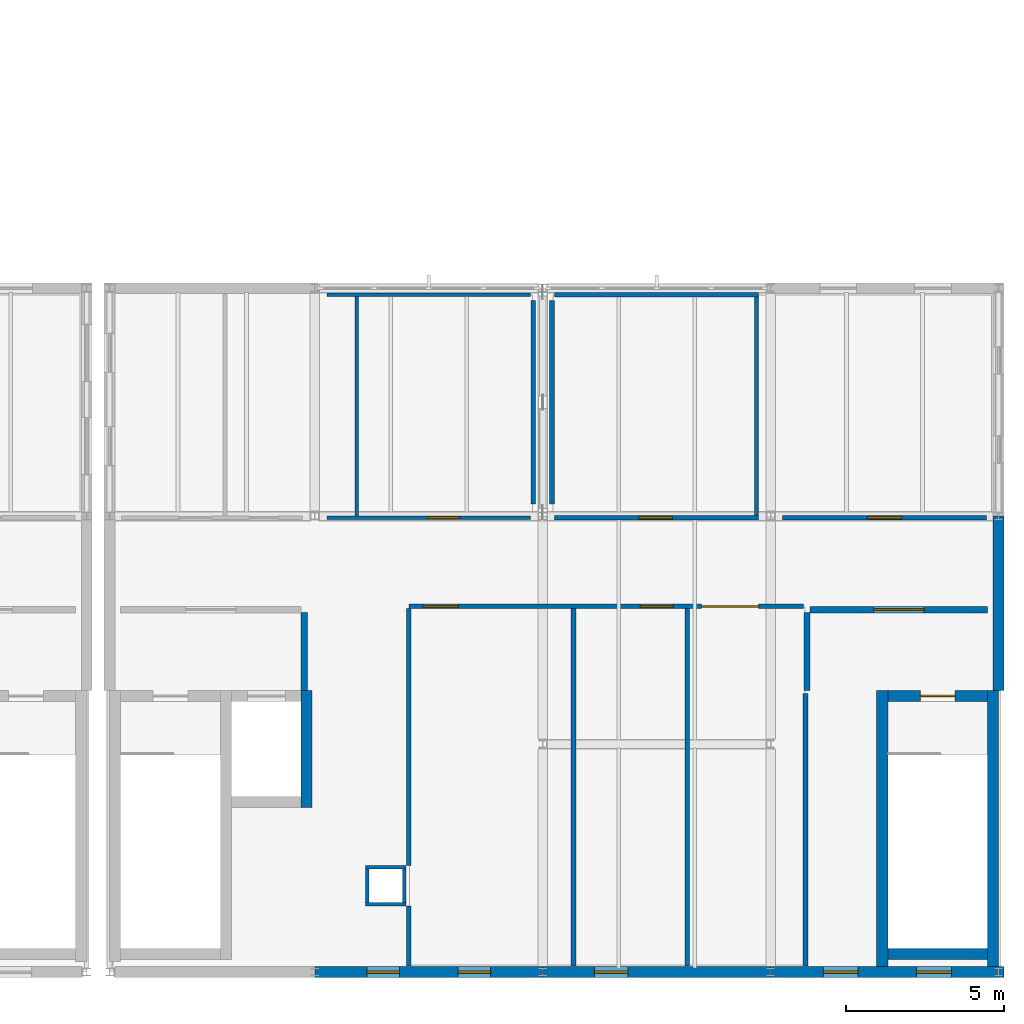
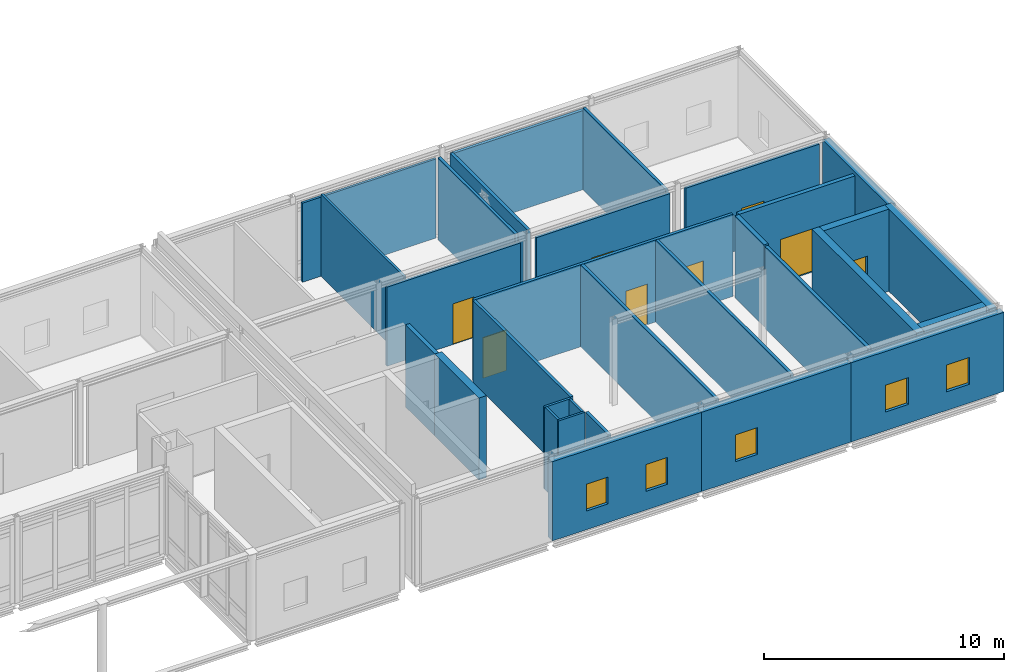
# One storey, part 33 of 43: 31 walls, 8 doors, 5 windows, 13 openings.
"""IFC4 building model written with IfcOpenShell, lengths in metres."""

from ifc_helpers import new_model, si_unit, direction, frame, frame_2d, origin, place, context, subcontext, project, spatial, rectangle, extrude, material, layer, layer_set, type_object, element, fill, save


model = new_model("IFC4")

# Units and contexts
model_context = context("Model", 3, precision=1e-05, world=origin(), true_north=direction((0.0, 1.0)))
body_context = subcontext(model_context, "Body", "Model", "MODEL_VIEW")
ifc_project = project(units=[si_unit("LENGTHUNIT", "METRE"), si_unit("AREAUNIT", "SQUARE_METRE"), si_unit("VOLUMEUNIT", "CUBIC_METRE"), si_unit("PLANEANGLEUNIT", "RADIAN"), si_unit("MASSUNIT", "GRAM", prefix="KILO")], contexts=[model_context])

# Site, building, storey
site_placement = place(None, origin())
site = spatial("IfcSite", under=ifc_project, at=site_placement, CompositionType="ELEMENT")
building_placement = place(site_placement, origin())
building = spatial("IfcBuilding", under=site, at=building_placement, Name="Zarrinpeak Specialist Clinic", CompositionType="ELEMENT")
storey_placement = place(building_placement, frame((0.0, 0.0, 18.39990234375)))
storey = spatial("IfcBuildingStorey", under=building, at=storey_placement, Name="L04", CompositionType="ELEMENT", Elevation=18.39990234375)

# Walls
ifc_material_1 = material(Name="Concrete C40/50", Category="concrete")
ifc_layer_1 = layer(ifc_material_1, 0.35009765625)
ifc_layer_set_1 = layer_set([ifc_layer_1], Name="Concrete C40/50")
wall_type_1 = type_object("IfcWallType", Name="WL-CR350", PredefinedType="SHEAR", material=ifc_layer_set_1)
wall_1_placement = place(storey_placement, frame((64.544921875, 5.199951171875, 0.0), z_axis=(0.0, 0.0, 1.0), x_axis=(0.0, 1.0, 0.0)))
element("IfcWall", 1, at=wall_1_placement, inside=storey, type_object=wall_type_1, Name="L04 Lift LF-P4 Shaft Wall LFE", PredefinedType="SHEAR", context=body_context, shape_type="SweptSolid", body=[
    extrude(rectangle(XDim=3.699951171875, YDim=0.35009765625, at=frame_2d((1.85009765625, 0.0))), origin(), (0.0, 0.0, 1.0), 4.18017578125),
])
wall_2_placement = place(storey_placement, frame((82.89990234375, 0.574951171875, 0.0), z_axis=(0.0, 0.0, 1.0), x_axis=(1.0, 0.0, 0.0)))
element("IfcWall", 2, at=wall_2_placement, inside=storey, type_object=wall_type_1, Name="L04 Core C08 Shear Wall STS", PredefinedType="SHEAR", context=body_context, shape_type="SweptSolid", body=[
    extrude(rectangle(XDim=3.150146484375, YDim=0.35009765625, at=frame_2d((1.5751953125, 0.0))), origin(), (0.0, 0.0, 1.0), 4.18017578125),
])

# Wall, opening, door
wall_3_placement = place(storey_placement, frame((82.89990234375, 8.72509765625, 0.0), z_axis=(0.0, 0.0, 1.0), x_axis=(1.0, 0.0, 0.0)))
wall_3 = element("IfcWall", 3, at=wall_3_placement, inside=storey, type_object=wall_type_1, Name="L04 Core C08 Shear Wall STN", PredefinedType="SHEAR", context=body_context, shape_type="SweptSolid", body=[
    extrude(rectangle(XDim=3.150146484375, YDim=0.35009765625, at=frame_2d((1.5751953125, 0.0))), origin(), (0.0, 0.0, 1.0), 4.18017578125),
])
opening_1_placement = place(wall_3_placement, frame((1.02490234375, 0.0, 0.0)))
opening_1 = element("IfcOpeningElement", 4, at=opening_1_placement, cuts=wall_3, Name="Opening D-S02", PredefinedType="OPENING", context=body_context, shape_type="SweptSolid", body=[
    extrude(rectangle(XDim=1.10009765625, YDim=2.14990234375, at=frame_2d((0.550048828125, 1.074951171875))), frame((0.0, 0.18505859375, 0.0), z_axis=(0.0, -1.0, 0.0), x_axis=(1.0, 0.0, 0.0)), (0.0, 0.0, 1.0), 0.3701171875),
])
ifc_material_2 = material(Name="Powder-Coated Galvanised Steel", Category="steel")
door_type_1 = type_object("IfcDoorType", Name="DR-FD110", OperationType="SINGLE_SWING_RIGHT", PredefinedType="DOOR", material=ifc_material_2)
door_1_placement = place(opening_1_placement, frame((1.10009765625, 0.0, 0.0), z_axis=(0.0, 0.0, 1.0), x_axis=(-1.0, 0.0, 0.0)))
door_1 = element("IfcDoor", 5, at=door_1_placement, inside=storey, type_object=door_type_1, Name="L04 Protected Stair ST-08 Fire Door", OperationType="SINGLE_SWING_RIGHT", OverallHeight=2.14990234375, OverallWidth=1.10009765625, PredefinedType="DOOR", context=body_context, shape_type="SweptSolid", body=[
    extrude(rectangle(XDim=1.10009765625, YDim=2.14990234375, at=frame_2d((0.550048828125, 1.074951171875))), frame((0.0, 0.02490234375, 0.0), z_axis=(0.0, -1.0, 0.0), x_axis=(1.0, 0.0, 0.0)), (0.0, 0.0, 1.0), 0.050048828125),
])
fill(opening_1, door_1)

# Walls
for number, where, z_axis, x_axis, name in (
    (6, (82.72509765625, 0.169921875, 0.0), (0.0, 0.0, 1.0), (0.0, 1.0, 0.0), "L04 Core C08 Shear Wall STW"),
    (7, (86.22509765625, 0.169921875, 0.0), (0.0, 0.0, 1.0), (0.0, 1.0, 0.0), "L04 Core C08 Shear Wall STE"),
):
    element("IfcWall", number, at=place(storey_placement, frame(where, z_axis=z_axis, x_axis=x_axis)), inside=storey, type_object=wall_type_1, Name=name, PredefinedType="SHEAR", context=body_context, shape_type="SweptSolid", body=[
        extrude(rectangle(XDim=8.72998046875, YDim=0.35009765625, at=frame_2d((4.364990234375, 0.0))), origin(), (0.0, 0.0, 1.0), 4.18017578125),
    ])

# Wall, openings, windows
ifc_material_3 = material(Name="Precast concrete C40/50", Category="concrete")
ifc_layer_2 = layer(ifc_material_3, 0.340087890625)
ifc_layer_set_2 = layer_set([ifc_layer_2], Name="Precast concrete C40/50")
wall_type_2 = type_object("IfcWallType", Name="WL-EW340", PredefinedType="STANDARD", material=ifc_layer_set_2)
wall_4_placement = place(storey_placement, frame((64.800048828125, 0.0, 0.0), z_axis=(0.0, 0.0, 1.0), x_axis=(1.0, 0.0, 0.0)))
wall_4 = element("IfcWall", 8, at=wall_4_placement, inside=storey, type_object=wall_type_2, Name="L04 V4 Exterior GRC Wall EW-L04-V4-0202", PredefinedType="STANDARD", context=body_context, shape_type="SweptSolid", body=[
    extrude(rectangle(XDim=7.199951171875, YDim=0.340087890625, at=frame_2d((3.60009765625, 0.0))), origin(), (0.0, 0.0, 1.0), 4.03515625),
])
opening_2_placement = place(wall_4_placement, frame((1.64501953125, 0.0, 0.949951171875)))
opening_2 = element("IfcOpeningElement", 9, at=opening_2_placement, cuts=wall_4, Name="Opening WS-45", PredefinedType="OPENING", context=body_context, shape_type="SweptSolid", body=[
    extrude(rectangle(XDim=1.030029296875, YDim=1.367919921875, at=frame_2d((0.51513671875, 0.68408203125))), frame((0.0, 0.18017578125, 0.0), z_axis=(0.0, -1.0, 0.0), x_axis=(1.0, 0.0, 0.0)), (0.0, 0.0, 1.0), 0.360107421875),
])
opening_3_placement = place(wall_4_placement, frame((4.52490234375, 0.0, 0.949951171875)))
opening_3 = element("IfcOpeningElement", 10, at=opening_3_placement, cuts=wall_4, Name="Opening WS-45", PredefinedType="OPENING", context=body_context, shape_type="SweptSolid", body=[
    extrude(rectangle(XDim=1.030029296875, YDim=1.367919921875, at=frame_2d((0.51513671875, 0.68408203125))), frame((0.0, 0.18017578125, 0.0), z_axis=(0.0, -1.0, 0.0), x_axis=(1.0, 0.0, 0.0)), (0.0, 0.0, 1.0), 0.360107421875),
])
ifc_material_4 = material(Name="Thermally Broken Aluminium and Low-E Glazing", Category="aluminium")
window_type_1 = type_object("IfcWindowType", Name="WN-SP45", PartitioningType="SINGLE_PANEL", PredefinedType="WINDOW", material=ifc_material_4)
window_1_placement = place(opening_2_placement, origin())
window_1 = element("IfcWindow", 11, at=window_1_placement, inside=storey, type_object=window_type_1, Name="L04 Modular Facade Window WN-L04-0231", OverallHeight=1.367919921875, OverallWidth=1.030029296875, PartitioningType="SINGLE_PANEL", PredefinedType="WINDOW", context=body_context, shape_type="SweptSolid", body=[
    extrude(rectangle(XDim=1.030029296875, YDim=1.367919921875, at=frame_2d((0.51513671875, 0.68408203125))), frame((0.0, 0.030029296875, 0.0), z_axis=(0.0, -1.0, 0.0), x_axis=(1.0, 0.0, 0.0)), (0.0, 0.0, 1.0), 0.06005859375),
])
fill(opening_2, window_1)
window_2_placement = place(opening_3_placement, origin())
window_2 = element("IfcWindow", 12, at=window_2_placement, inside=storey, type_object=window_type_1, Name="L04 Modular Facade Window WN-L04-0232", OverallHeight=1.367919921875, OverallWidth=1.030029296875, PartitioningType="SINGLE_PANEL", PredefinedType="WINDOW", context=body_context, shape_type="SweptSolid", body=[
    extrude(rectangle(XDim=1.030029296875, YDim=1.367919921875, at=frame_2d((0.51513671875, 0.68408203125))), frame((0.0, 0.030029296875, 0.0), z_axis=(0.0, -1.0, 0.0), x_axis=(1.0, 0.0, 0.0)), (0.0, 0.0, 1.0), 0.06005859375),
])
fill(opening_3, window_2)

# Wall, opening, window
wall_5_placement = place(storey_placement, frame((72.0, 0.0, 0.0), z_axis=(0.0, 0.0, 1.0), x_axis=(1.0, 0.0, 0.0)))
wall_5 = element("IfcWall", 13, at=wall_5_placement, inside=storey, type_object=wall_type_2, Name="L04 V4 Exterior GRC Wall EW-L04-V4-0203", PredefinedType="STANDARD", context=body_context, shape_type="SweptSolid", body=[
    extrude(rectangle(XDim=7.199951171875, YDim=0.340087890625, at=frame_2d((3.60009765625, 0.0))), origin(), (0.0, 0.0, 1.0), 4.03515625),
])
opening_4_placement = place(wall_5_placement, frame((1.6279296875, 0.0, 0.949951171875)))
opening_4 = element("IfcOpeningElement", 14, at=opening_4_placement, cuts=wall_5, Name="Opening WS-46", PredefinedType="OPENING", context=body_context, shape_type="SweptSolid", body=[
    extrude(rectangle(XDim=1.06396484375, YDim=1.367919921875, at=frame_2d((0.531982421875, 0.68408203125))), frame((0.0, 0.18017578125, 0.0), z_axis=(0.0, -1.0, 0.0), x_axis=(1.0, 0.0, 0.0)), (0.0, 0.0, 1.0), 0.360107421875),
])
window_type_2 = type_object("IfcWindowType", Name="WN-SP46", PartitioningType="SINGLE_PANEL", PredefinedType="WINDOW", material=ifc_material_4)
window_3_placement = place(opening_4_placement, origin())
window_3 = element("IfcWindow", 15, at=window_3_placement, inside=storey, type_object=window_type_2, Name="L04 Modular Facade Window WN-L04-0233", OverallHeight=1.367919921875, OverallWidth=1.06396484375, PartitioningType="SINGLE_PANEL", PredefinedType="WINDOW", context=body_context, shape_type="SweptSolid", body=[
    extrude(rectangle(XDim=1.06396484375, YDim=1.367919921875, at=frame_2d((0.531982421875, 0.68408203125))), frame((0.0, 0.030029296875, 0.0), z_axis=(0.0, -1.0, 0.0), x_axis=(1.0, 0.0, 0.0)), (0.0, 0.0, 1.0), 0.06005859375),
])
fill(opening_4, window_3)

# Wall, openings, windows
wall_6_placement = place(storey_placement, frame((79.199951171875, 0.0, 0.0), z_axis=(0.0, 0.0, 1.0), x_axis=(1.0, 0.0, 0.0)))
wall_6 = element("IfcWall", 16, at=wall_6_placement, inside=storey, type_object=wall_type_2, Name="L04 V4 Exterior GRC Wall EW-L04-V4-0204", PredefinedType="STANDARD", context=body_context, shape_type="SweptSolid", body=[
    extrude(rectangle(XDim=7.3701171875, YDim=0.340087890625, at=frame_2d((3.68505859375, 0.0))), origin(), (0.0, 0.0, 1.0), 4.03515625),
])
opening_5_placement = place(wall_6_placement, frame((1.662109375, 0.0, 0.949951171875)))
opening_5 = element("IfcOpeningElement", 17, at=opening_5_placement, cuts=wall_6, Name="Opening WS-47", PredefinedType="OPENING", context=body_context, shape_type="SweptSolid", body=[
    extrude(rectangle(XDim=1.097900390625, YDim=1.367919921875, at=frame_2d((0.548828125, 0.68408203125))), frame((0.0, 0.18017578125, 0.0), z_axis=(0.0, -1.0, 0.0), x_axis=(1.0, 0.0, 0.0)), (0.0, 0.0, 1.0), 0.360107421875),
])
opening_6_placement = place(wall_6_placement, frame((4.610107421875, 0.0, 0.949951171875)))
opening_6 = element("IfcOpeningElement", 18, at=opening_6_placement, cuts=wall_6, Name="Opening WS-47", PredefinedType="OPENING", context=body_context, shape_type="SweptSolid", body=[
    extrude(rectangle(XDim=1.097900390625, YDim=1.367919921875, at=frame_2d((0.548828125, 0.68408203125))), frame((0.0, 0.18017578125, 0.0), z_axis=(0.0, -1.0, 0.0), x_axis=(1.0, 0.0, 0.0)), (0.0, 0.0, 1.0), 0.360107421875),
])
window_type_3 = type_object("IfcWindowType", Name="WN-SP47", PartitioningType="SINGLE_PANEL", PredefinedType="WINDOW", material=ifc_material_4)
window_4_placement = place(opening_5_placement, origin())
window_4 = element("IfcWindow", 19, at=window_4_placement, inside=storey, type_object=window_type_3, Name="L04 Modular Facade Window WN-L04-0234", OverallHeight=1.367919921875, OverallWidth=1.097900390625, PartitioningType="SINGLE_PANEL", PredefinedType="WINDOW", context=body_context, shape_type="SweptSolid", body=[
    extrude(rectangle(XDim=1.097900390625, YDim=1.367919921875, at=frame_2d((0.548828125, 0.68408203125))), frame((0.0, 0.030029296875, 0.0), z_axis=(0.0, -1.0, 0.0), x_axis=(1.0, 0.0, 0.0)), (0.0, 0.0, 1.0), 0.06005859375),
])
fill(opening_5, window_4)
window_5_placement = place(opening_6_placement, origin())
window_5 = element("IfcWindow", 20, at=window_5_placement, inside=storey, type_object=window_type_3, Name="L04 Modular Facade Window WN-L04-0235", OverallHeight=1.367919921875, OverallWidth=1.097900390625, PartitioningType="SINGLE_PANEL", PredefinedType="WINDOW", context=body_context, shape_type="SweptSolid", body=[
    extrude(rectangle(XDim=1.097900390625, YDim=1.367919921875, at=frame_2d((0.548828125, 0.68408203125))), frame((0.0, 0.030029296875, 0.0), z_axis=(0.0, -1.0, 0.0), x_axis=(1.0, 0.0, 0.0)), (0.0, 0.0, 1.0), 0.06005859375),
])
fill(opening_6, window_5)

# Walls
wall_7_placement = place(storey_placement, frame((86.39990234375, 8.89990234375, 0.0), z_axis=(0.0, 0.0, 1.0), x_axis=(0.0, 1.0, 0.0)))
element("IfcWall", 21, at=wall_7_placement, inside=storey, type_object=wall_type_2, Name="L04 V4 Exterior GRC Wall EW-L04-V4-0209", PredefinedType="STANDARD", context=body_context, shape_type="SweptSolid", body=[
    extrude(rectangle(XDim=5.5, YDim=0.340087890625, at=frame_2d((2.75, 0.0))), origin(), (0.0, 0.0, 1.0), 4.110107421875),
])
ifc_material_5 = material(Name="Sanitary Service Chase Plumbing Wall", Category="gypsum")
ifc_layer_3 = layer(ifc_material_5, 0.110107421875)
ifc_layer_set_3 = layer_set([ifc_layer_3], Name="Sanitary Service Chase Plumbing Wall")
wall_type_3 = type_object("IfcWallType", Name="WL-IW110", PredefinedType="PARTITIONING", material=ifc_layer_set_3)
for number, where, z_axis, x_axis, name in (
    (22, (66.409912109375, 2.14501953125, 0.0), (0.0, 0.0, 1.0), (1.0, 0.0, 0.0), "L04 V4 Enclosed MEP Service Riser Wall S"),
    (23, (66.409912109375, 3.304931640625, 0.0), (0.0, 0.0, 1.0), (1.0, 0.0, 0.0), "L04 V4 Enclosed MEP Service Riser Wall N"),
):
    element("IfcWall", number, at=place(storey_placement, frame(where, z_axis=z_axis, x_axis=x_axis)), inside=storey, type_object=wall_type_3, Name=name, PredefinedType="PARTITIONING", context=body_context, shape_type="SweptSolid", body=[
        extrude(rectangle(XDim=1.27001953125, YDim=0.110107421875, at=frame_2d((0.635009765625, 0.0))), origin(), (0.0, 0.0, 1.0), 4.18017578125),
    ])
for number, where, z_axis, x_axis, name in (
    (24, (66.465087890625, 2.199951171875, 0.0), (0.0, 0.0, 1.0), (0.0, 1.0, 0.0), "L04 V4 Enclosed MEP Service Riser Wall W"),
    (25, (67.625, 2.199951171875, 0.0), (0.0, 0.0, 1.0), (0.0, 1.0, 0.0), "L04 V4 Enclosed MEP Service Riser Wall E"),
):
    element("IfcWall", number, at=place(storey_placement, frame(where, z_axis=z_axis, x_axis=x_axis)), inside=storey, type_object=wall_type_3, Name=name, PredefinedType="PARTITIONING", context=body_context, shape_type="SweptSolid", body=[
        extrude(rectangle(XDim=1.050048828125, YDim=0.110107421875, at=frame_2d((0.52490234375, 0.0))), origin(), (0.0, 0.0, 1.0), 4.18017578125),
    ])
wall_8_placement = place(storey_placement, frame((65.179931640625, 21.39990234375, 0.0), z_axis=(0.0, 0.0, 1.0), x_axis=(1.0, 0.0, 0.0)))
element("IfcWall", 26, at=wall_8_placement, inside=storey, type_object=wall_type_3, Name="L04 Staff Washroom Partition", PredefinedType="PARTITIONING", context=body_context, shape_type="SweptSolid", body=[
    extrude(rectangle(XDim=6.440185546875, YDim=0.110107421875, at=frame_2d((3.22021484375, 0.0))), origin(), (0.0, 0.0, 1.0), 4.03515625),
])
wall_9_placement = place(storey_placement, frame((66.1201171875, 14.41259765625, 0.0), z_axis=(0.0, 0.0, 1.0), x_axis=(0.0, 1.0, 0.0)))
element("IfcWall", 27, at=wall_9_placement, inside=storey, type_object=wall_type_3, Name="L04 Staff Washroom Dividing Partition", PredefinedType="PARTITIONING", context=body_context, shape_type="SweptSolid", body=[
    extrude(rectangle(XDim=6.932373046875, YDim=0.110107421875, at=frame_2d((3.46630859375, 0.0))), origin(), (0.0, 0.0, 1.0), 4.18017578125),
])

# Wall, opening, door
ifc_material_6 = material(Name="Moisture-Resistant Wet-Room Partition", Category="gypsum")
ifc_layer_4 = layer(ifc_material_6, 0.125)
ifc_layer_set_4 = layer_set([ifc_layer_4], Name="Moisture-Resistant Wet-Room Partition")
wall_type_4 = type_object("IfcWallType", Name="WL-IW125W", PredefinedType="PARTITIONING", material=ifc_layer_set_4)
wall_10_placement = place(storey_placement, frame((65.179931640625, 14.35009765625, 0.0), z_axis=(0.0, 0.0, 1.0), x_axis=(1.0, 0.0, 0.0)))
wall_10 = element("IfcWall", 28, at=wall_10_placement, inside=storey, type_object=wall_type_4, Name="L04 Accessible Patient WC Partition", PredefinedType="PARTITIONING", context=body_context, shape_type="SweptSolid", body=[
    extrude(rectangle(XDim=6.440185546875, YDim=0.125, at=frame_2d((3.22021484375, 0.0))), origin(), (0.0, 0.0, 1.0), 4.03515625),
])
opening_7_placement = place(wall_10_placement, frame((3.18505859375, 0.0, 0.0)))
opening_7 = element("IfcOpeningElement", 29, at=opening_7_placement, cuts=wall_10, Name="Opening DS-19", PredefinedType="OPENING", context=body_context, shape_type="SweptSolid", body=[
    extrude(rectangle(XDim=1.010009765625, YDim=2.068115234375, at=frame_2d((0.5048828125, 1.0341796875))), frame((0.0, 0.072509765625, 0.0), z_axis=(0.0, -1.0, 0.0), x_axis=(1.0, 0.0, 0.0)), (0.0, 0.0, 1.0), 0.14501953125),
])
door_type_2 = type_object("IfcDoorType", Name="DR-SP19", OperationType="SINGLE_SWING_RIGHT", PredefinedType="DOOR", material=ifc_material_2)
door_2_placement = place(opening_7_placement, frame((1.010009765625, 0.0, 0.0), z_axis=(0.0, 0.0, 1.0), x_axis=(-1.0, 0.0, 0.0)))
door_2 = element("IfcDoor", 30, at=door_2_placement, inside=storey, type_object=door_type_2, Name="L04 Surgical Day Clinic Consult Door", OperationType="SINGLE_SWING_RIGHT", OverallHeight=2.068115234375, OverallWidth=1.010009765625, PredefinedType="DOOR", context=body_context, shape_type="SweptSolid", body=[
    extrude(rectangle(XDim=1.010009765625, YDim=2.068115234375, at=frame_2d((0.5048828125, 1.0341796875))), frame((0.0, 0.02490234375, 0.0), z_axis=(0.0, -1.0, 0.0), x_axis=(1.0, 0.0, 0.0)), (0.0, 0.0, 1.0), 0.050048828125),
])
fill(opening_7, door_2)

ifc_material_7 = material(Name="Standard Drywall Partition", Category="gypsum")
ifc_layer_5 = layer(ifc_material_7, 0.135009765625)
ifc_layer_set_5 = layer_set([ifc_layer_5], Name="Standard Drywall Partition")
wall_type_5 = type_object("IfcWallType", Name="WL-IW135", PredefinedType="PARTITIONING", material=ifc_layer_set_5)
wall_11_placement = place(storey_placement, frame((72.3798828125, 14.35009765625, 0.0), z_axis=(0.0, 0.0, 1.0), x_axis=(1.0, 0.0, 0.0)))
wall_11 = element("IfcWall", 31, at=wall_11_placement, inside=storey, type_object=wall_type_5, Name="L04 Specialist Consultation Room 1 Partition", PredefinedType="PARTITIONING", context=body_context, shape_type="SweptSolid", body=[
    extrude(rectangle(XDim=6.440185546875, YDim=0.135009765625, at=frame_2d((3.22021484375, 0.0))), origin(), (0.0, 0.0, 1.0), 4.03515625),
])
opening_8_placement = place(wall_11_placement, frame((2.654052734375, 0.0, 0.0)))
opening_8 = element("IfcOpeningElement", 32, at=opening_8_placement, cuts=wall_11, Name="Opening DS-21", PredefinedType="OPENING", context=body_context, shape_type="SweptSolid", body=[
    extrude(rectangle(XDim=1.06201171875, YDim=2.068115234375, at=frame_2d((0.531005859375, 1.0341796875))), frame((0.0, 0.07763671875, 0.0), z_axis=(0.0, -1.0, 0.0), x_axis=(1.0, 0.0, 0.0)), (0.0, 0.0, 1.0), 0.155029296875),
])
door_type_3 = type_object("IfcDoorType", Name="DR-SP21", OperationType="SINGLE_SWING_RIGHT", PredefinedType="DOOR", material=ifc_material_2)
door_3_placement = place(opening_8_placement, frame((1.06201171875, 0.0, 0.0), z_axis=(0.0, 0.0, 1.0), x_axis=(-1.0, 0.0, 0.0)))
door_3 = element("IfcDoor", 33, at=door_3_placement, inside=storey, type_object=door_type_3, Name="L04 Specialist Consultation Room 1 Door", OperationType="SINGLE_SWING_RIGHT", OverallHeight=2.068115234375, OverallWidth=1.06201171875, PredefinedType="DOOR", context=body_context, shape_type="SweptSolid", body=[
    extrude(rectangle(XDim=1.06201171875, YDim=2.068115234375, at=frame_2d((0.531005859375, 1.0341796875))), frame((0.0, 0.02490234375, 0.0), z_axis=(0.0, -1.0, 0.0), x_axis=(1.0, 0.0, 0.0)), (0.0, 0.0, 1.0), 0.050048828125),
])
fill(opening_8, door_3)

wall_12_placement = place(storey_placement, frame((79.580078125, 14.35009765625, 0.0), z_axis=(0.0, 0.0, 1.0), x_axis=(1.0, 0.0, 0.0)))
wall_12 = element("IfcWall", 34, at=wall_12_placement, inside=storey, type_object=wall_type_5, Name="L04 Specialist Consultation Room 1 Partition", PredefinedType="PARTITIONING", context=body_context, shape_type="SweptSolid", body=[
    extrude(rectangle(XDim=6.43994140625, YDim=0.135009765625, at=frame_2d((3.219970703125, 0.0))), origin(), (0.0, 0.0, 1.0), 4.03515625),
])
opening_9_placement = place(wall_12_placement, frame((2.676025390625, 0.0, 0.0)))
opening_9 = element("IfcOpeningElement", 35, at=opening_9_placement, cuts=wall_12, Name="Opening DS-22", PredefinedType="OPENING", context=body_context, shape_type="SweptSolid", body=[
    extrude(rectangle(XDim=1.087890625, YDim=2.068115234375, at=frame_2d((0.5439453125, 1.0341796875))), frame((0.0, 0.07763671875, 0.0), z_axis=(0.0, -1.0, 0.0), x_axis=(1.0, 0.0, 0.0)), (0.0, 0.0, 1.0), 0.155029296875),
])
door_type_4 = type_object("IfcDoorType", Name="DR-SP22", OperationType="SINGLE_SWING_LEFT", PredefinedType="DOOR", material=ifc_material_2)
door_4_placement = place(opening_9_placement, frame((1.087890625, 0.0, 0.0), z_axis=(0.0, 0.0, 1.0), x_axis=(-1.0, 0.0, 0.0)))
door_4 = element("IfcDoor", 36, at=door_4_placement, inside=storey, type_object=door_type_4, Name="L04 Specialist Consultation Room 2 Door", OperationType="SINGLE_SWING_LEFT", OverallHeight=2.068115234375, OverallWidth=1.087890625, PredefinedType="DOOR", context=body_context, shape_type="SweptSolid", body=[
    extrude(rectangle(XDim=1.087890625, YDim=2.068115234375, at=frame_2d((0.5439453125, 1.0341796875))), frame((0.0, 0.02490234375, 0.0), z_axis=(0.0, -1.0, 0.0), x_axis=(1.0, 0.0, 0.0)), (0.0, 0.0, 1.0), 0.050048828125),
])
fill(opening_9, door_4)

# Walls
wall_13_placement = place(storey_placement, frame((71.699951171875, 14.780029296875, 0.0), z_axis=(0.0, 0.0, 1.0), x_axis=(0.0, 1.0, 0.0)))
element("IfcWall", 37, at=wall_13_placement, inside=storey, type_object=wall_type_5, Name="L04 Surgical Day Clinic Consult Dividing Partition", PredefinedType="PARTITIONING", context=body_context, shape_type="SweptSolid", body=[
    extrude(rectangle(XDim=6.43994140625, YDim=0.135009765625, at=frame_2d((3.219970703125, 0.0))), origin(), (0.0, 0.0, 1.0), 4.18017578125),
])
wall_14_placement = place(storey_placement, frame((78.75, 14.41748046875, 0.0), z_axis=(0.0, 0.0, 1.0), x_axis=(0.0, 1.0, 0.0)))
element("IfcWall", 38, at=wall_14_placement, inside=storey, type_object=wall_type_5, Name="L04 Specialist Consultation Room 1 Dividing Partition", PredefinedType="PARTITIONING", context=body_context, shape_type="SweptSolid", body=[
    extrude(rectangle(XDim=6.91162109375, YDim=0.135009765625, at=frame_2d((3.455810546875, 0.0))), origin(), (0.0, 0.0, 1.0), 4.18017578125),
])

# Wall, openings, doors
ifc_material_8 = material(Name="Acoustic Consultation Stud Partition", Category="gypsum")
ifc_layer_6 = layer(ifc_material_8, 0.14208984375)
ifc_layer_set_6 = layer_set([ifc_layer_6], Name="Acoustic Consultation Stud Partition")
wall_type_6 = type_object("IfcWallType", Name="WL-IW142", PredefinedType="PARTITIONING", material=ifc_layer_set_6)
wall_15_placement = place(storey_placement, frame((67.77001953125, 11.550048828125, 0.0), z_axis=(0.0, 0.0, 1.0), x_axis=(1.0, 0.0, 0.0)))
wall_15 = element("IfcWall", 39, at=wall_15_placement, inside=storey, type_object=wall_type_6, Name="L04 Anaesthesia Pre-Assessment Office Partition", PredefinedType="PARTITIONING", context=body_context, shape_type="SweptSolid", body=[
    extrude(rectangle(XDim=12.4599609375, YDim=0.14208984375, at=frame_2d((6.22998046875, 0.0))), origin(), (0.0, 0.0, 1.0), 4.18017578125),
])
opening_10_placement = place(wall_15_placement, frame((7.31396484375, 0.0, 0.0)))
opening_10 = element("IfcOpeningElement", 40, at=opening_10_placement, cuts=wall_15, Name="Opening DS-20", PredefinedType="OPENING", context=body_context, shape_type="SweptSolid", body=[
    extrude(rectangle(XDim=1.035888671875, YDim=2.068115234375, at=frame_2d((0.51806640625, 1.0341796875))), frame((0.0, 0.0810546875, 0.0), z_axis=(0.0, -1.0, 0.0), x_axis=(1.0, 0.0, 0.0)), (0.0, 0.0, 1.0), 0.162109375),
])
opening_11_placement = place(wall_15_placement, frame((9.25, 0.0, 0.0)))
opening_11 = element("IfcOpeningElement", 41, at=opening_11_placement, cuts=wall_15, Name="Opening D-H01", PredefinedType="OPENING", context=body_context, shape_type="SweptSolid", body=[
    extrude(rectangle(XDim=1.800048828125, YDim=2.300048828125, at=frame_2d((0.89990234375, 1.14990234375))), frame((0.0, 0.0810546875, 0.0), z_axis=(0.0, -1.0, 0.0), x_axis=(1.0, 0.0, 0.0)), (0.0, 0.0, 1.0), 0.162109375),
])
opening_12_placement = place(wall_15_placement, frame((0.449951171875, 0.0, 0.0)))
opening_12 = element("IfcOpeningElement", 42, at=opening_12_placement, cuts=wall_15, Name="Opening DS-23", PredefinedType="OPENING", context=body_context, shape_type="SweptSolid", body=[
    extrude(rectangle(XDim=1.114013671875, YDim=2.068115234375, at=frame_2d((0.55712890625, 1.0341796875))), frame((0.0, 0.0810546875, 0.0), z_axis=(0.0, -1.0, 0.0), x_axis=(1.0, 0.0, 0.0)), (0.0, 0.0, 1.0), 0.162109375),
])
door_type_5 = type_object("IfcDoorType", Name="DR-HAL180", OperationType="DOUBLE_DOOR_SINGLE_SWING", PredefinedType="DOOR", material=ifc_material_2)
door_5_placement = place(opening_11_placement, origin())
door_5 = element("IfcDoor", 43, at=door_5_placement, inside=storey, type_object=door_type_5, Name="L04 Surgical Governance Seminar Door", OperationType="DOUBLE_DOOR_SINGLE_SWING", OverallHeight=2.300048828125, OverallWidth=1.800048828125, PredefinedType="DOOR", context=body_context, shape_type="SweptSolid", body=[
    extrude(rectangle(XDim=1.800048828125, YDim=2.300048828125, at=frame_2d((0.89990234375, 1.14990234375))), frame((0.0, 0.02490234375, 0.0), z_axis=(0.0, -1.0, 0.0), x_axis=(1.0, 0.0, 0.0)), (0.0, 0.0, 1.0), 0.050048828125),
])
fill(opening_11, door_5)
door_type_6 = type_object("IfcDoorType", Name="DR-SP20", OperationType="SINGLE_SWING_LEFT", PredefinedType="DOOR", material=ifc_material_2)
door_6_placement = place(opening_10_placement, origin())
door_6 = element("IfcDoor", 44, at=door_6_placement, inside=storey, type_object=door_type_6, Name="L04 Anaesthesia Pre-Assessment Office Door", OperationType="SINGLE_SWING_LEFT", OverallHeight=2.068115234375, OverallWidth=1.035888671875, PredefinedType="DOOR", context=body_context, shape_type="SweptSolid", body=[
    extrude(rectangle(XDim=1.035888671875, YDim=2.068115234375, at=frame_2d((0.51806640625, 1.0341796875))), frame((0.0, 0.02490234375, 0.0), z_axis=(0.0, -1.0, 0.0), x_axis=(1.0, 0.0, 0.0)), (0.0, 0.0, 1.0), 0.050048828125),
])
fill(opening_10, door_6)
door_type_7 = type_object("IfcDoorType", Name="DR-SP23", OperationType="SINGLE_SWING_RIGHT", PredefinedType="DOOR", material=ifc_material_2)
door_7_placement = place(opening_12_placement, origin())
door_7 = element("IfcDoor", 45, at=door_7_placement, inside=storey, type_object=door_type_7, Name="L04 Specialist Consultation Room 3 Door", OperationType="SINGLE_SWING_RIGHT", OverallHeight=2.068115234375, OverallWidth=1.114013671875, PredefinedType="DOOR", context=body_context, shape_type="SweptSolid", body=[
    extrude(rectangle(XDim=1.114013671875, YDim=2.068115234375, at=frame_2d((0.55712890625, 1.0341796875))), frame((0.0, 0.02490234375, 0.0), z_axis=(0.0, -1.0, 0.0), x_axis=(1.0, 0.0, 0.0)), (0.0, 0.0, 1.0), 0.050048828125),
])
fill(opening_12, door_7)

# Walls
wall_16_placement = place(storey_placement, frame((72.3798828125, 21.39990234375, 0.0), z_axis=(0.0, 0.0, 1.0), x_axis=(1.0, 0.0, 0.0)))
element("IfcWall", 46, at=wall_16_placement, inside=storey, type_object=wall_type_6, Name="L04 Specialist Consultation Room 1 Partition", PredefinedType="PARTITIONING", context=body_context, shape_type="SweptSolid", body=[
    extrude(rectangle(XDim=6.440185546875, YDim=0.14208984375, at=frame_2d((3.22021484375, 0.0))), origin(), (0.0, 0.0, 1.0), 4.03515625),
])
wall_17_placement = place(storey_placement, frame((67.77001953125, 3.360107421875, 0.0), z_axis=(0.0, 0.0, 1.0), x_axis=(0.0, 1.0, 0.0)))
element("IfcWall", 47, at=wall_17_placement, inside=storey, type_object=wall_type_6, Name="L04 Specialist Consultation Room 3 Dividing Partition", PredefinedType="PARTITIONING", context=body_context, shape_type="SweptSolid", body=[
    extrude(rectangle(XDim=8.118896484375, YDim=0.14208984375, at=frame_2d((4.0595703125, 0.0))), origin(), (0.0, 0.0, 1.0), 4.18017578125),
])
wall_18_placement = place(storey_placement, frame((76.570068359375, 0.199951171875, 0.0), z_axis=(0.0, 0.0, 1.0), x_axis=(0.0, 1.0, 0.0)))
element("IfcWall", 48, at=wall_18_placement, inside=storey, type_object=wall_type_6, Name="L04 Anaesthesia Pre-Assessment Office Dividing Partition", PredefinedType="PARTITIONING", context=body_context, shape_type="SweptSolid", body=[
    extrude(rectangle(XDim=11.279052734375, YDim=0.14208984375, at=frame_2d((5.6396484375, 0.0))), origin(), (0.0, 0.0, 1.0), 4.18017578125),
])
ifc_material_9 = material(Name="Insulated Clinical Gypsum Stud Partition", Category="gypsum")
ifc_layer_7 = layer(ifc_material_9, 0.14990234375)
ifc_layer_set_7 = layer_set([ifc_layer_7], Name="Insulated Clinical Gypsum Stud Partition")
wall_type_7 = type_object("IfcWallType", Name="WL-IW150", PredefinedType="PARTITIONING", material=ifc_layer_set_7)
wall_19_placement = place(storey_placement, frame((67.77001953125, 0.199951171875, 0.0), z_axis=(0.0, 0.0, 1.0), x_axis=(0.0, 1.0, 0.0)))
element("IfcWall", 49, at=wall_19_placement, inside=storey, type_object=wall_type_7, Name="L04 Specialist Consultation Room 3 Dividing Partition", PredefinedType="PARTITIONING", context=body_context, shape_type="SweptSolid", body=[
    extrude(rectangle(XDim=1.89013671875, YDim=0.14990234375, at=frame_2d((0.945068359375, 0.0))), origin(), (0.0, 0.0, 1.0), 4.18017578125),
])
wall_20_placement = place(storey_placement, frame((72.969970703125, 0.199951171875, 0.0), z_axis=(0.0, 0.0, 1.0), x_axis=(0.0, 1.0, 0.0)))
element("IfcWall", 50, at=wall_20_placement, inside=storey, type_object=wall_type_7, Name="L04 Anaesthesia Pre-Assessment Office Dividing Partition", PredefinedType="PARTITIONING", context=body_context, shape_type="SweptSolid", body=[
    extrude(rectangle(XDim=11.279052734375, YDim=0.14990234375, at=frame_2d((5.6396484375, 0.0))), origin(), (0.0, 0.0, 1.0), 4.18017578125),
])
ifc_material_10 = material(Name="Acoustic Double Gypsum Stud Partition", Category="gypsum")
ifc_layer_8 = layer(ifc_material_10, 0.159912109375)
ifc_layer_set_8 = layer_set([ifc_layer_8], Name="Acoustic Double Gypsum Stud Partition")
wall_type_8 = type_object("IfcWallType", Name="WL-IW160", PredefinedType="PARTITIONING", material=ifc_layer_set_8)
wall_21_placement = place(storey_placement, frame((72.300048828125, 14.780029296875, 0.0), z_axis=(0.0, 0.0, 1.0), x_axis=(0.0, 1.0, 0.0)))
element("IfcWall", 51, at=wall_21_placement, inside=storey, type_object=wall_type_8, Name="L04 Specialist Consultation Room 1 Dividing Partition", PredefinedType="PARTITIONING", context=body_context, shape_type="SweptSolid", body=[
    extrude(rectangle(XDim=6.43994140625, YDim=0.159912109375, at=frame_2d((3.219970703125, 0.0))), origin(), (0.0, 0.0, 1.0), 4.18017578125),
])
wall_22_placement = place(storey_placement, frame((80.300048828125, 0.199951171875, 0.0), z_axis=(0.0, 0.0, 1.0), x_axis=(0.0, 1.0, 0.0)))
element("IfcWall", 52, at=wall_22_placement, inside=storey, type_object=wall_type_8, Name="L04 Surgical Governance Seminar Dividing Partition", PredefinedType="PARTITIONING", context=body_context, shape_type="SweptSolid", body=[
    extrude(rectangle(XDim=8.60009765625, YDim=0.159912109375, at=frame_2d((4.300048828125, 0.0))), origin(), (0.0, 0.0, 1.0), 4.18017578125),
])
ifc_material_11 = material(Name="Autoclaved Aerated Concrete Blockwork", Category="masonry")
ifc_layer_9 = layer(ifc_material_11, 0.199951171875)
ifc_layer_set_9 = layer_set([ifc_layer_9], Name="Autoclaved Aerated Concrete Blockwork")
wall_type_9 = type_object("IfcWallType", Name="WL-IW200", PredefinedType="PARTITIONING", material=ifc_layer_set_9)
wall_23_placement = place(storey_placement, frame((64.469970703125, 8.89990234375, 0.0), z_axis=(0.0, 0.0, 1.0), x_axis=(0.0, 1.0, 0.0)))
element("IfcWall", 53, at=wall_23_placement, inside=storey, type_object=wall_type_9, Name="L04 C07 Protected Lobby Partition LBE", PredefinedType="PARTITIONING", context=body_context, shape_type="SweptSolid", body=[
    extrude(rectangle(XDim=2.4501953125, YDim=0.199951171875, at=frame_2d((1.22509765625, 0.0))), origin(), (0.0, 0.0, 1.0), 4.18017578125),
])

# Wall, opening, door
wall_24_placement = place(storey_placement, frame((80.449951171875, 11.449951171875, 0.0), z_axis=(0.0, 0.0, 1.0), x_axis=(1.0, 0.0, 0.0)))
wall_24 = element("IfcWall", 54, at=wall_24_placement, inside=storey, type_object=wall_type_9, Name="L04 C08 Protected Lobby Partition LBF", PredefinedType="PARTITIONING", context=body_context, shape_type="SweptSolid", body=[
    extrude(rectangle(XDim=5.60009765625, YDim=0.199951171875, at=frame_2d((2.800048828125, 0.0))), origin(), (0.0, 0.0, 1.0), 4.18017578125),
])
opening_13_placement = place(wall_24_placement, frame((2.0, 0.0, 0.0)))
opening_13 = element("IfcOpeningElement", 55, at=opening_13_placement, cuts=wall_24, Name="Opening D-L01", PredefinedType="OPENING", context=body_context, shape_type="SweptSolid", body=[
    extrude(rectangle(XDim=1.60009765625, YDim=2.199951171875, at=frame_2d((0.800048828125, 1.10009765625))), frame((0.0, 0.10986328125, 0.0), z_axis=(0.0, -1.0, 0.0), x_axis=(1.0, 0.0, 0.0)), (0.0, 0.0, 1.0), 0.219970703125),
])
door_type_8 = type_object("IfcDoorType", Name="DR-LB160", OperationType="DOUBLE_DOOR_SINGLE_SWING", PredefinedType="DOOR", material=ifc_material_2)
door_8_placement = place(opening_13_placement, origin())
door_8 = element("IfcDoor", 56, at=door_8_placement, inside=storey, type_object=door_type_8, Name="L04 C08 Lobby Hold-Open Fire Door", OperationType="DOUBLE_DOOR_SINGLE_SWING", OverallHeight=2.199951171875, OverallWidth=1.60009765625, PredefinedType="DOOR", context=body_context, shape_type="SweptSolid", body=[
    extrude(rectangle(XDim=1.60009765625, YDim=2.199951171875, at=frame_2d((0.800048828125, 1.10009765625))), frame((0.0, 0.02490234375, 0.0), z_axis=(0.0, -1.0, 0.0), x_axis=(1.0, 0.0, 0.0)), (0.0, 0.0, 1.0), 0.050048828125),
])
fill(opening_13, door_8)

# Wall
wall_25_placement = place(storey_placement, frame((80.35009765625, 8.89990234375, 0.0), z_axis=(0.0, 0.0, 1.0), x_axis=(0.0, 1.0, 0.0)))
element("IfcWall", 57, at=wall_25_placement, inside=storey, type_object=wall_type_9, Name="L04 C08 Protected Lobby Partition LBW", PredefinedType="PARTITIONING", context=body_context, shape_type="SweptSolid", body=[
    extrude(rectangle(XDim=2.4501953125, YDim=0.199951171875, at=frame_2d((1.22509765625, 0.0))), origin(), (0.0, 0.0, 1.0), 4.18017578125),
])

save(model, "model.ifc")
